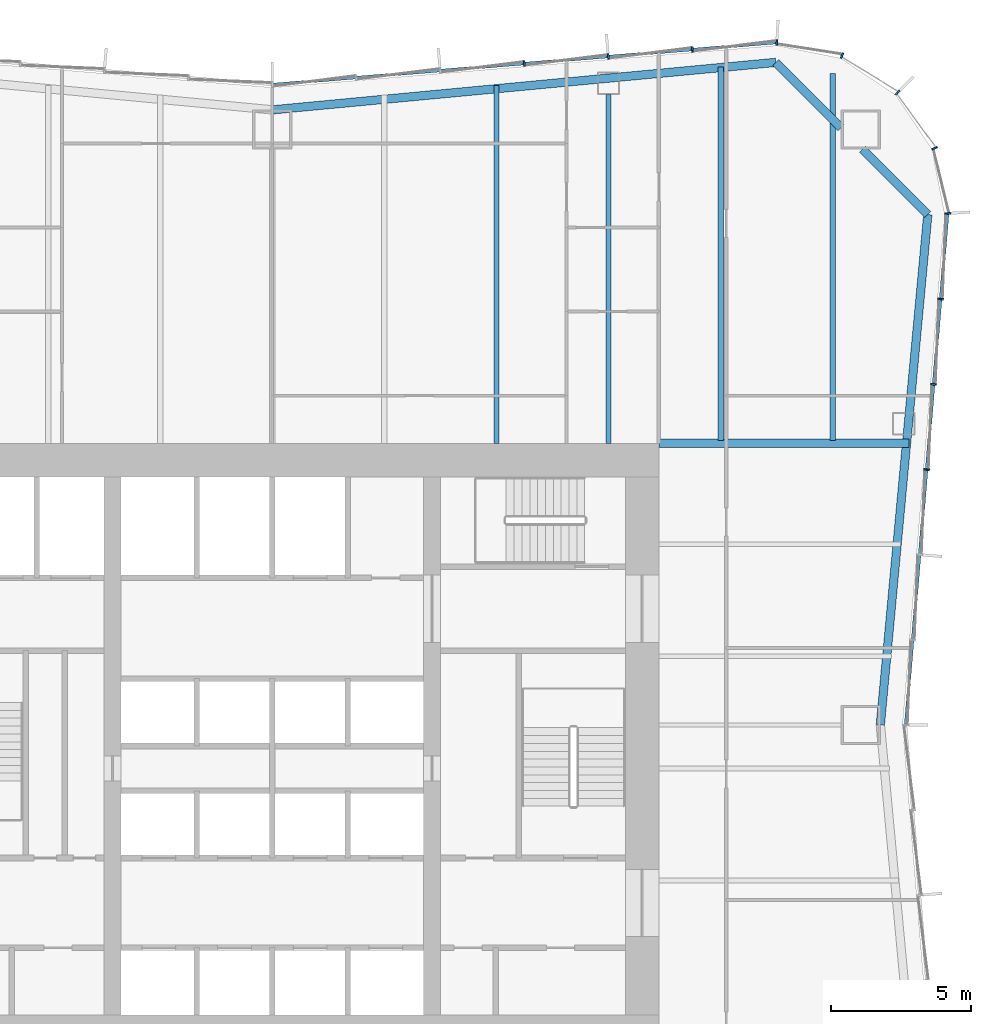
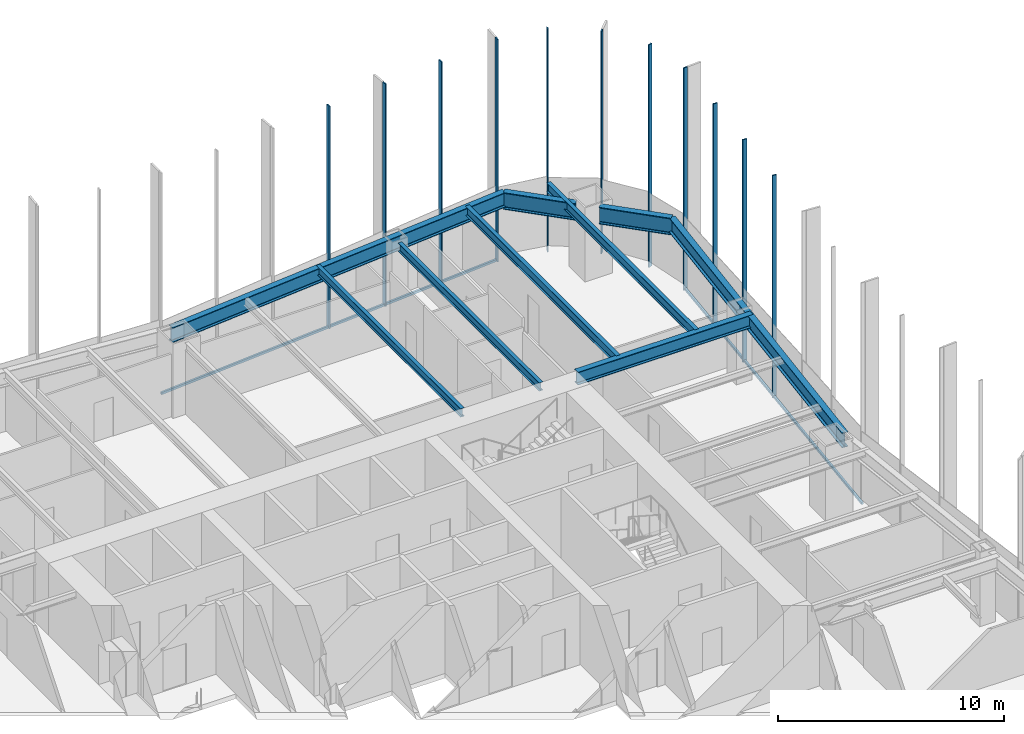
# One storey, part 6 of 13: 13 members, 9 beams, 3 elements without a shape of their own.
"""IFC4 building model written with IfcOpenShell, lengths in metres."""

from ifc_helpers import new_model, si_unit, direction, frame, origin, origin_2d, place, context, subcontext, project, spatial, rectangle, i_section, extrude, material, material_profile, profile_set, type_object, element, aggregate, save


model = new_model("IFC4")

# Units and contexts
model_context = context("Model", 3, precision=1e-05, world=origin(), true_north=direction((0.0, 1.0)))
body_context = subcontext(model_context, "Body", "Model", "MODEL_VIEW")
ifc_project = project(units=[si_unit("LENGTHUNIT", "METRE"), si_unit("AREAUNIT", "SQUARE_METRE"), si_unit("VOLUMEUNIT", "CUBIC_METRE"), si_unit("PLANEANGLEUNIT", "RADIAN"), si_unit("MASSUNIT", "GRAM", prefix="KILO")], contexts=[model_context])

# Site, building, storey
site_placement = place(None, origin())
site = spatial("IfcSite", under=ifc_project, at=site_placement, CompositionType="ELEMENT")
building_placement = place(site_placement, origin())
building = spatial("IfcBuilding", under=site, at=building_placement, Name="Verdant Reach Tower", CompositionType="ELEMENT")
storey_placement = place(building_placement, frame((0.0, 0.0, 94.0)))
storey = spatial("IfcBuildingStorey", under=building, at=storey_placement, Name="L21", CompositionType="ELEMENT", Elevation=94.0)

# Curtain wall, members
ifc_material_1 = material(Name="Anodised aluminium", Category="aluminium")
curtain_wall_type = type_object("IfcCurtainWallType", Name="EN-CW SYSTEM Z1", PredefinedType="NOTDEFINED", material=ifc_material_1)
curtain_wall_1_placement = place(storey_placement, origin())
curtain_wall_1 = element("IfcCurtainWall", 1, at=curtain_wall_1_placement, inside=storey, type_object=curtain_wall_type, Name="Curtain wall east, L21", PredefinedType="NOTDEFINED")
ifc_material_profile_1 = material_profile(ifc_material_1, rectangle(XDim=0.2060546875, YDim=0.06201171875, at=origin_2d()), Name="Mullion 62x206")
ifc_profile_set_1 = profile_set([ifc_material_profile_1], Name="Anodised aluminium")
member_type_1 = type_object("IfcMemberType", Name="EN-MULLION Z1", PredefinedType="MULLION", material=ifc_profile_set_1)
member_1_placement = place(storey_placement, frame((23.3525390625, 37.866455078125, -0.35009765625), z_axis=(0.0, 0.0, 1.0), x_axis=(0.996639273542, -0.081915556724, 0.0)))
member_1 = element("IfcMember", 2, at=member_1_placement, type_object=member_type_1, Name="Mullion east face part 2 4, L21", PredefinedType="MULLION", context=body_context, shape_type="SweptSolid", body=[
    extrude(rectangle(XDim=0.2060546875, YDim=0.06201171875, at=origin_2d()), origin(), (0.0, 0.0, 1.0), 12.0),
])
member_2_placement = place(storey_placement, frame((23.6025390625, 40.908203125, -0.35009765625), z_axis=(0.0, 0.0, 1.0), x_axis=(0.996639273542, -0.081915556724, 0.0)))
member_2 = element("IfcMember", 3, at=member_2_placement, type_object=member_type_1, Name="Mullion east face part 2 5, L21", PredefinedType="MULLION", context=body_context, shape_type="SweptSolid", body=[
    extrude(rectangle(XDim=0.2060546875, YDim=0.06201171875, at=origin_2d()), origin(), (0.0, 0.0, 1.0), 12.0),
])
member_3_placement = place(storey_placement, frame((23.8525390625, 43.949951171875, -0.35009765625), z_axis=(0.0, 0.0, 1.0), x_axis=(0.996639273542, -0.081915556724, 0.0)))
member_3 = element("IfcMember", 4, at=member_3_placement, type_object=member_type_1, Name="Mullion east face part 2 6, L21", PredefinedType="MULLION", context=body_context, shape_type="SweptSolid", body=[
    extrude(rectangle(XDim=0.2060546875, YDim=0.06201171875, at=origin_2d()), origin(), (0.0, 0.0, 1.0), 12.0),
])

curtain_wall_2_placement = place(storey_placement, origin())
curtain_wall_2 = element("IfcCurtainWall", 5, at=curtain_wall_2_placement, inside=storey, type_object=curtain_wall_type, Name="Curtain wall north-east corner, L21", PredefinedType="NOTDEFINED")
member_4_placement = place(storey_placement, frame((24.102783203125, 47.005859375, -0.35009765625), z_axis=(0.0, 0.0, 1.0), x_axis=(0.998366452275, 0.057135164055, 0.0)))
member_4 = element("IfcMember", 6, at=member_4_placement, type_object=member_type_1, Name="Mullion north-east corner 1, L21", PredefinedType="MULLION", context=body_context, shape_type="SweptSolid", body=[
    extrude(rectangle(XDim=0.2060546875, YDim=0.06201171875, at=origin_2d()), origin(), (0.0, 0.0, 1.0), 12.0),
])
member_5_placement = place(storey_placement, frame((23.638427734375, 49.33544921875, -0.35009765625), z_axis=(0.0, 0.0, 1.0), x_axis=(0.923875215753, 0.382693853776, 0.0)))
member_5 = element("IfcMember", 7, at=member_5_placement, type_object=member_type_1, Name="Mullion north-east corner 2, L21", PredefinedType="MULLION", context=body_context, shape_type="SweptSolid", body=[
    extrude(rectangle(XDim=0.2060546875, YDim=0.06201171875, at=origin_2d()), origin(), (0.0, 0.0, 1.0), 12.0),
])
member_6_placement = place(storey_placement, frame((22.3154296875, 51.3154296875, -0.35009765625), z_axis=(0.0, 0.0, 1.0), x_axis=(0.707106781187, 0.707106781187, 0.0)))
member_6 = element("IfcMember", 8, at=member_6_placement, type_object=member_type_1, Name="Mullion north-east corner 3, L21", PredefinedType="MULLION", context=body_context, shape_type="SweptSolid", body=[
    extrude(rectangle(XDim=0.2060546875, YDim=0.06201171875, at=origin_2d()), origin(), (0.0, 0.0, 1.0), 12.0),
])
member_7_placement = place(storey_placement, frame((20.33544921875, 52.638427734375, -0.35009765625), z_axis=(0.0, 0.0, 1.0), x_axis=(0.382693853776, 0.923875215753, 0.0)))
member_7 = element("IfcMember", 9, at=member_7_placement, type_object=member_type_1, Name="Mullion north-east corner 4, L21", PredefinedType="MULLION", context=body_context, shape_type="SweptSolid", body=[
    extrude(rectangle(XDim=0.2060546875, YDim=0.06201171875, at=origin_2d()), origin(), (0.0, 0.0, 1.0), 12.0),
])
aggregate(curtain_wall_2, [member_4, member_5, member_6, member_7])

curtain_wall_3_placement = place(storey_placement, origin())
curtain_wall_3 = element("IfcCurtainWall", 10, at=curtain_wall_3_placement, inside=storey, type_object=curtain_wall_type, Name="Curtain wall north, L21", PredefinedType="NOTDEFINED")
member_8_placement = place(storey_placement, frame((18.005859375, 53.102783203125, -0.35009765625), z_axis=(0.0, 0.0, 1.0), x_axis=(0.056569187765, 0.998398681387, 0.0)))
member_8 = element("IfcMember", 11, at=member_8_placement, type_object=member_type_1, Name="Mullion north face part 1 1, L21", PredefinedType="MULLION", context=body_context, shape_type="SweptSolid", body=[
    extrude(rectangle(XDim=0.2060546875, YDim=0.06201171875, at=origin_2d()), origin(), (0.0, 0.0, 1.0), 12.0),
])
member_9_placement = place(storey_placement, frame((14.991455078125, 52.8525390625, -0.35009765625), z_axis=(0.0, 0.0, 1.0), x_axis=(-0.083045479859, 0.996545758244, 0.0)))
member_9 = element("IfcMember", 12, at=member_9_placement, type_object=member_type_1, Name="Mullion north face part 1 2, L21", PredefinedType="MULLION", context=body_context, shape_type="SweptSolid", body=[
    extrude(rectangle(XDim=0.2060546875, YDim=0.06201171875, at=origin_2d()), origin(), (0.0, 0.0, 1.0), 12.0),
])
member_10_placement = place(storey_placement, frame((11.991455078125, 52.6025390625, -0.35009765625), z_axis=(0.0, 0.0, 1.0), x_axis=(-0.083045479859, 0.996545758244, 0.0)))
member_10 = element("IfcMember", 13, at=member_10_placement, type_object=member_type_1, Name="Mullion north face part 1 3, L21", PredefinedType="MULLION", context=body_context, shape_type="SweptSolid", body=[
    extrude(rectangle(XDim=0.2060546875, YDim=0.06201171875, at=origin_2d()), origin(), (0.0, 0.0, 1.0), 12.0),
])
member_11_placement = place(storey_placement, frame((8.991455078125, 52.3525390625, -0.35009765625), z_axis=(0.0, 0.0, 1.0), x_axis=(-0.083045479859, 0.996545758244, 0.0)))
member_11 = element("IfcMember", 14, at=member_11_placement, type_object=member_type_1, Name="Mullion north face part 1 4, L21", PredefinedType="MULLION", context=body_context, shape_type="SweptSolid", body=[
    extrude(rectangle(XDim=0.2060546875, YDim=0.06201171875, at=origin_2d()), origin(), (0.0, 0.0, 1.0), 12.0),
])

# Member
ifc_material_profile_2 = material_profile(ifc_material_1, rectangle(XDim=0.10009765625, YDim=0.1220703125, at=origin_2d()), Name="Transom 122x100")
ifc_profile_set_2 = profile_set([ifc_material_profile_2], Name="Anodised aluminium")
member_type_2 = type_object("IfcMemberType", Name="EN-TRANSOM Z1", PredefinedType="USERDEFINED", material=ifc_profile_set_2)
member_12_placement = place(storey_placement, frame((22.60546875, 28.781005859375, -0.2890625), z_axis=(0.081886623329, 0.996641651207, 0.0), x_axis=(-0.996641651207, 0.081886623329, 0.0)))
member_12 = element("IfcMember", 15, at=member_12_placement, type_object=member_type_2, Name="Transom east face part 2 1.1, L21", ObjectType="TRANSOM", PredefinedType="USERDEFINED", context=body_context, shape_type="SweptSolid", body=[
    extrude(rectangle(XDim=0.10009765625, YDim=0.1220703125, at=origin_2d()), origin(), (0.0, 0.0, 1.0), 18.25537109375),
])

aggregate(curtain_wall_1, [member_1, member_2, member_3, member_12])

member_13_placement = place(storey_placement, frame((17.974853515625, 53.100341796875, -0.2890625), z_axis=(-0.996547815143, -0.083020793384, 0.0), x_axis=(0.083020793384, -0.996547815143, 0.0)))
member_13 = element("IfcMember", 16, at=member_13_placement, type_object=member_type_2, Name="Transom north face part 1 1.1, L21", ObjectType="TRANSOM", PredefinedType="USERDEFINED", context=body_context, shape_type="SweptSolid", body=[
    extrude(rectangle(XDim=0.10009765625, YDim=0.1220703125, at=origin_2d()), origin(), (0.0, 0.0, 1.0), 18.006103515625),
])

aggregate(curtain_wall_3, [member_8, member_9, member_10, member_11, member_13])

# Beams
ifc_material_2 = material(Name="Steel S355", Category="steel")
ifc_material_profile_3 = material_profile(ifc_material_2, i_section(OverallWidth=0.300048828125, OverallDepth=0.699951171875, WebThickness=0.01708984375, FlangeThickness=0.031982421875, FilletRadius=0.027099609375, at=origin_2d()), Name="HEB 700")
ifc_profile_set_3 = profile_set([ifc_material_profile_3], Name="Steel S355")
beam_type_1 = type_object("IfcBeamType", Name="ST-BEAM-HEB700", PredefinedType="BEAM", material=ifc_profile_set_3)
beam_1_placement = place(storey_placement, frame((13.800048828125, 38.800048828125, 3.52001953125), z_axis=(1.0, 0.0, 0.0), x_axis=(0.0, 1.0, 0.0)))
element("IfcBeam", 17, at=beam_1_placement, inside=storey, type_object=beam_type_1, Name="Trimmer beam, L21", PredefinedType="BEAM", context=body_context, shape_type="SweptSolid", body=[
    extrude(i_section(OverallWidth=0.300048828125, OverallDepth=0.699951171875, WebThickness=0.01708984375, FlangeThickness=0.031982421875, FilletRadius=0.027099609375, at=origin_2d()), origin(), (0.0, 0.0, 1.0), 8.924072265625),
])
ifc_material_profile_4 = material_profile(ifc_material_2, i_section(OverallWidth=0.18994140625, OverallDepth=0.449951171875, WebThickness=0.009521484375, FlangeThickness=0.0146484375, FilletRadius=0.02099609375, at=origin_2d()), Name="IPE 450")
ifc_profile_set_4 = profile_set([ifc_material_profile_4], Name="Steel S355")
beam_type_2 = type_object("IfcBeamType", Name="ST-JOIST-IPE450", PredefinedType="JOIST", material=ifc_profile_set_4)
beam_2_placement = place(storey_placement, frame((8.0, 38.800048828125, 3.64501953125), z_axis=(0.0, 1.0, 0.0), x_axis=(-1.0, 0.0, 0.0)))
element("IfcBeam", 18, at=beam_2_placement, inside=storey, type_object=beam_type_2, Name="Floor joist, L21", PredefinedType="JOIST", context=body_context, shape_type="SweptSolid", body=[
    extrude(i_section(OverallWidth=0.18994140625, OverallDepth=0.449951171875, WebThickness=0.009521484375, FlangeThickness=0.0146484375, FilletRadius=0.02099609375, at=origin_2d()), origin(), (0.0, 0.0, 1.0), 12.7646484375),
])
beam_3_placement = place(storey_placement, frame((12.0, 38.800048828125, 3.64501953125), z_axis=(0.0, 1.0, 0.0), x_axis=(-1.0, 0.0, 0.0)))
element("IfcBeam", 19, at=beam_3_placement, inside=storey, type_object=beam_type_2, Name="Floor joist, L21", PredefinedType="JOIST", context=body_context, shape_type="SweptSolid", body=[
    extrude(i_section(OverallWidth=0.18994140625, OverallDepth=0.449951171875, WebThickness=0.009521484375, FlangeThickness=0.0146484375, FilletRadius=0.02099609375, at=origin_2d()), origin(), (0.0, 0.0, 1.0), 12.449951171875),
])
ifc_material_profile_5 = material_profile(ifc_material_2, i_section(OverallWidth=0.199951171875, OverallDepth=0.5, WebThickness=0.01025390625, FlangeThickness=0.01611328125, FilletRadius=0.02099609375, at=origin_2d()), Name="IPE 500")
ifc_profile_set_5 = profile_set([ifc_material_profile_5], Name="Steel S355")
beam_type_3 = type_object("IfcBeamType", Name="ST-JOIST-IPE500", PredefinedType="JOIST", material=ifc_profile_set_5)
beam_4_placement = place(storey_placement, frame((16.0, 38.89990234375, 3.6201171875), z_axis=(0.0, 1.0, 0.0), x_axis=(-1.0, 0.0, 0.0)))
element("IfcBeam", 20, at=beam_4_placement, inside=storey, type_object=beam_type_3, Name="Floor joist, L21", PredefinedType="JOIST", context=body_context, shape_type="SweptSolid", body=[
    extrude(i_section(OverallWidth=0.199951171875, OverallDepth=0.5, WebThickness=0.01025390625, FlangeThickness=0.01611328125, FilletRadius=0.02099609375, at=origin_2d()), origin(), (0.0, 0.0, 1.0), 13.331298828125),
])
beam_5_placement = place(storey_placement, frame((20.0, 38.89990234375, 3.6201171875), z_axis=(0.0, 1.0, 0.0), x_axis=(-1.0, 0.0, 0.0)))
element("IfcBeam", 21, at=beam_5_placement, inside=storey, type_object=beam_type_3, Name="Floor joist, L21", PredefinedType="JOIST", context=body_context, shape_type="SweptSolid", body=[
    extrude(i_section(OverallWidth=0.199951171875, OverallDepth=0.5, WebThickness=0.01025390625, FlangeThickness=0.01611328125, FilletRadius=0.02099609375, at=origin_2d()), origin(), (0.0, 0.0, 1.0), 13.090576171875),
])
ifc_material_profile_6 = material_profile(ifc_material_2, i_section(OverallWidth=0.300048828125, OverallDepth=0.800048828125, WebThickness=0.017578125, FlangeThickness=0.032958984375, FilletRadius=0.030029296875, at=origin_2d()), Name="HEB 800")
ifc_profile_set_6 = profile_set([ifc_material_profile_6], Name="Steel S355")
beam_type_4 = type_object("IfcBeamType", Name="ST-SPANDREL-HEB800", PredefinedType="SPANDREL", material=ifc_profile_set_6)
beam_6_placement = place(storey_placement, frame((0.0, 50.699951171875, 3.469970703125), z_axis=(0.995578571765, 0.093932462137, 0.0), x_axis=(-0.093932462137, 0.995578571765, 0.0)))
element("IfcBeam", 22, at=beam_6_placement, inside=storey, type_object=beam_type_4, Name="Edge beam, L21", PredefinedType="SPANDREL", context=body_context, shape_type="SweptSolid", body=[
    extrude(i_section(OverallWidth=0.300048828125, OverallDepth=0.800048828125, WebThickness=0.017578125, FlangeThickness=0.032958984375, FilletRadius=0.030029296875, at=origin_2d()), origin(), (0.0, 0.0, 1.0), 18.045654296875),
])
beam_7_placement = place(storey_placement, frame((23.39501953125, 46.96533203125, 3.469970703125), z_axis=(-0.092656907618, -0.995698095544, 0.0), x_axis=(0.995698095544, -0.092656907618, 0.0)))
element("IfcBeam", 23, at=beam_7_placement, inside=storey, type_object=beam_type_4, Name="Edge beam, L21", PredefinedType="SPANDREL", context=body_context, shape_type="SweptSolid", body=[
    extrude(i_section(OverallWidth=0.300048828125, OverallDepth=0.800048828125, WebThickness=0.017578125, FlangeThickness=0.032958984375, FilletRadius=0.030029296875, at=origin_2d()), origin(), (0.0, 0.0, 1.0), 18.2939453125),
])
ifc_material_profile_7 = material_profile(ifc_material_2, i_section(OverallWidth=0.302001953125, OverallDepth=0.909912109375, WebThickness=0.02099609375, FlangeThickness=0.0400390625, FilletRadius=0.030029296875, at=origin_2d()), Name="HEM 900")
ifc_profile_set_7 = profile_set([ifc_material_profile_7], Name="Steel S355")
beam_type_5 = type_object("IfcBeamType", Name="ST-SPANDREL-HEM900", PredefinedType="SPANDREL", material=ifc_profile_set_7)
beam_8_placement = place(storey_placement, frame((17.9658203125, 52.39501953125, 3.4150390625), z_axis=(0.707106781187, -0.707106781187, 0.0), x_axis=(0.707106781187, 0.707106781187, 0.0)))
element("IfcBeam", 24, at=beam_8_placement, inside=storey, type_object=beam_type_5, Name="Edge beam, L21", PredefinedType="SPANDREL", context=body_context, shape_type="SweptSolid", body=[
    extrude(i_section(OverallWidth=0.302001953125, OverallDepth=0.909912109375, WebThickness=0.02099609375, FlangeThickness=0.0400390625, FilletRadius=0.030029296875, at=origin_2d()), origin(), (0.0, 0.0, 1.0), 3.301025390625),
])
beam_9_placement = place(storey_placement, frame((21.060546875, 49.300048828125, 3.4150390625), z_axis=(0.707069807316, -0.707143753123, 0.0), x_axis=(0.707143753123, 0.707069807316, 0.0)))
element("IfcBeam", 25, at=beam_9_placement, inside=storey, type_object=beam_type_5, Name="Edge beam, L21", PredefinedType="SPANDREL", context=body_context, shape_type="SweptSolid", body=[
    extrude(i_section(OverallWidth=0.302001953125, OverallDepth=0.909912109375, WebThickness=0.02099609375, FlangeThickness=0.0400390625, FilletRadius=0.030029296875, at=origin_2d()), origin(), (0.0, 0.0, 1.0), 3.301513671875),
])

save(model, "model.ifc")
